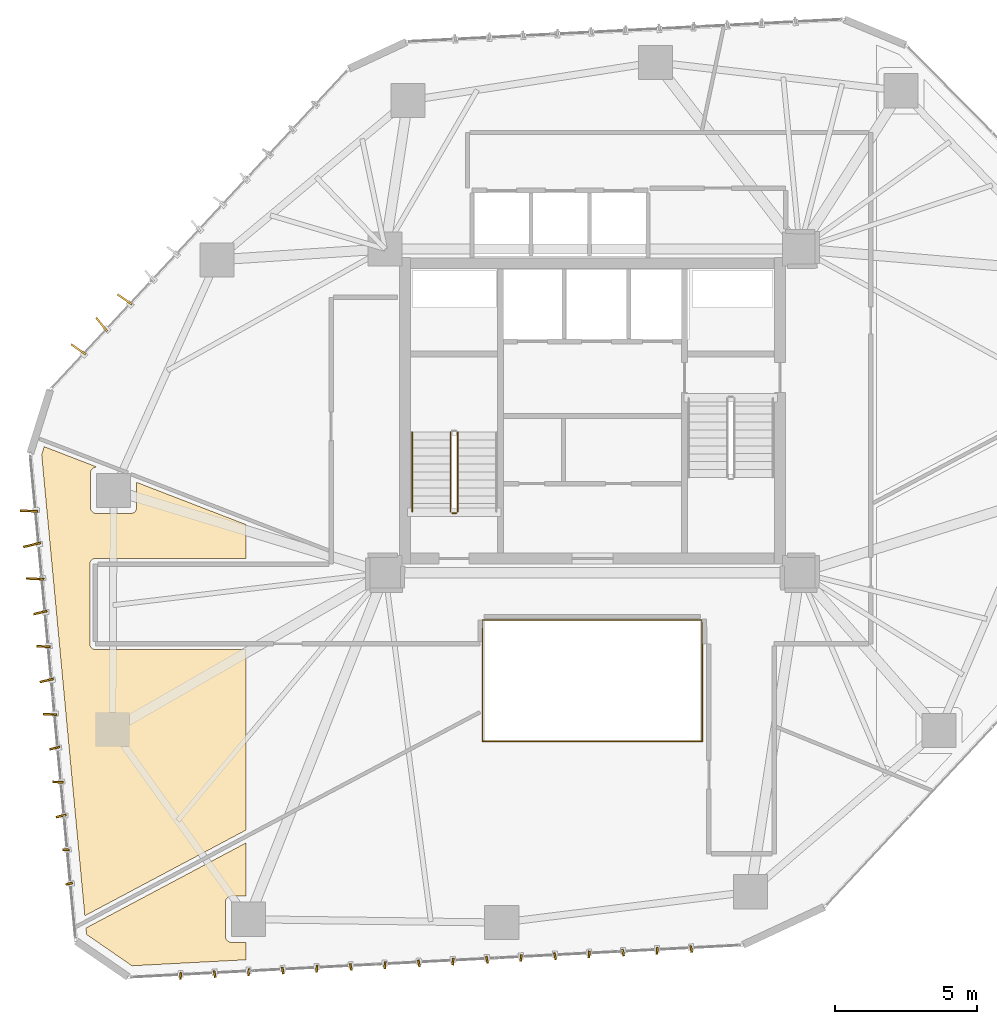
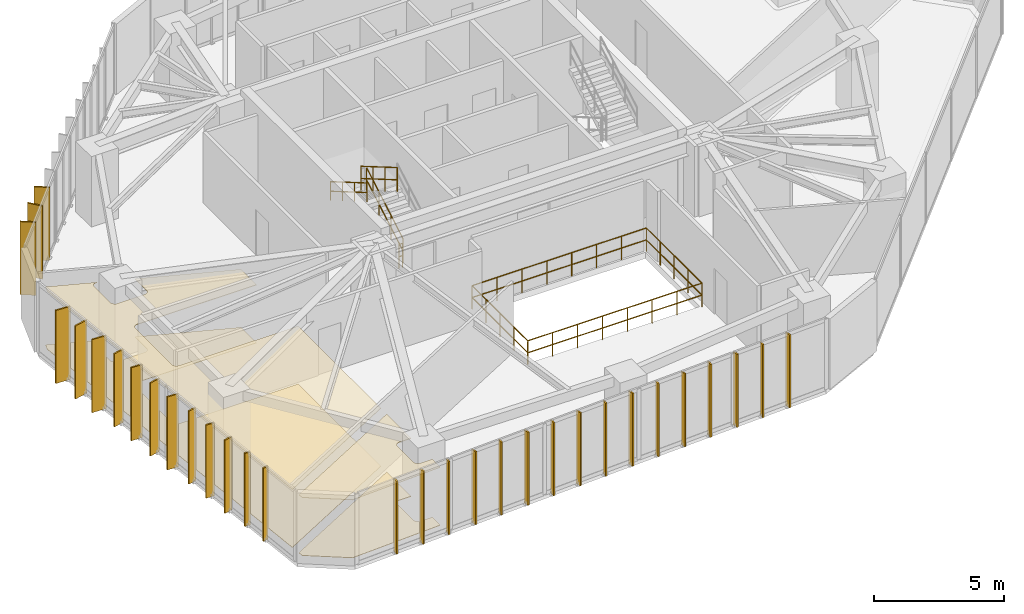
# One storey, part 21 of 23: 31 shading devices, 8 railings, 4 coverings.
"""IFC4 building model written with IfcOpenShell, lengths in metres."""

from ifc_helpers import new_model, si_unit, direction, frame, origin, origin_2d, place, context, subcontext, project, spatial, polyline, rectangle, circle, outline, extrude, source, transform, mapped, material, layer, layer_set, type_object, type_shapes, element, save


model = new_model("IFC4")

# Units and contexts
model_context = context("Model", 3, precision=1e-05, world=origin(), true_north=direction((0.0, 1.0)))
body_context = subcontext(model_context, "Body", "Model", "MODEL_VIEW")
ifc_project = project(units=[si_unit("LENGTHUNIT", "METRE"), si_unit("AREAUNIT", "SQUARE_METRE"), si_unit("VOLUMEUNIT", "CUBIC_METRE"), si_unit("PLANEANGLEUNIT", "RADIAN"), si_unit("MASSUNIT", "GRAM", prefix="KILO")], contexts=[model_context])

# Site, building, storey
site_placement = place(None, origin())
site = spatial("IfcSite", under=ifc_project, at=site_placement, CompositionType="ELEMENT")
building_placement = place(site_placement, origin())
building = spatial("IfcBuilding", under=site, at=building_placement, Name="Talar Marvaseh", CompositionType="ELEMENT")
storey_placement = place(building_placement, frame((0.0, 0.0, 100.199951171875)))
storey = spatial("IfcBuildingStorey", under=building, at=storey_placement, Name="L25", CompositionType="ELEMENT", Elevation=100.199951171875)

# Railings
ifc_material_1 = material(Name="Stainless Steel Grade 316", Category="steel")
railing_type_1 = type_object("IfcRailingType", Name="Brushed Stainless Wall Pitch Handrail 900", PredefinedType="HANDRAIL", material=ifc_material_1)
railing_1_placement = place(storey_placement, frame((19.64990234375, 30.449951171875, 1.963623046875)))
element("IfcRailing", 1, at=railing_1_placement, inside=storey, type_object=railing_type_1, Name="L25 ST-1 stair handrail 2", PredefinedType="HANDRAIL", context=body_context, shape_type="SweptSolid", body=[
    extrude(circle(Radius=0.02392578125, at=origin_2d()), frame((0.0, 0.0, 0.8759765625), z_axis=(0.0, -0.863360870873, 0.504586966384), x_axis=(1.0, 0.0, 0.0)), (0.0, 0.0, 1.0), 3.2431640625),
    extrude(circle(Radius=0.02392578125, at=origin_2d()), frame((0.0, 0.0, 0.42578125), z_axis=(0.0, -0.863360870873, 0.504586966384), x_axis=(1.0, 0.0, 0.0)), (0.0, 0.0, 1.0), 3.2431640625),
    extrude(circle(Radius=0.02099609375, at=origin_2d()), origin(), (0.0, 0.0, 1.0), 0.851806640625),
    extrude(circle(Radius=0.02099609375, at=origin_2d()), frame((0.0, -0.933349609375, 0.54541015625)), (0.0, 0.0, 1.0), 0.851806640625),
    extrude(circle(Radius=0.02099609375, at=origin_2d()), frame((0.0, -1.86669921875, 1.091064453125)), (0.0, 0.0, 1.0), 0.851806640625),
    extrude(circle(Radius=0.02099609375, at=origin_2d()), frame((0.0, -2.800048828125, 1.636474609375)), (0.0, 0.0, 1.0), 0.851806640625),
])
ifc_material_2 = material(Name="Tempered Clear Glass", Category="glass")
railing_type_2 = type_object("IfcRailingType", Name="Interior Atrium Edge Balustrade 1120", PredefinedType="BALUSTRADE", material=ifc_material_2)
railing_2_placement = place(storey_placement, frame((22.1298828125, 19.561279296875, 0.0)))
element("IfcRailing", 2, at=railing_2_placement, inside=storey, type_object=railing_type_2, Name="L25 Internal Daylight Atrium Balustrade 1", PredefinedType="BALUSTRADE", context=body_context, shape_type="SweptSolid", body=[
    extrude(circle(Radius=0.02392578125, at=origin_2d()), frame((0.0, 0.0, 1.09619140625), z_axis=(1.0, 0.0, 0.0), x_axis=(0.0, 1.0, 0.0)), (0.0, 0.0, 1.0), 7.740234375),
    extrude(circle(Radius=0.02392578125, at=origin_2d()), frame((0.0, 0.0, 0.5361328125), z_axis=(1.0, 0.0, 0.0), x_axis=(0.0, 1.0, 0.0)), (0.0, 0.0, 1.0), 7.740234375),
    extrude(circle(Radius=0.02099609375, at=origin_2d()), origin(), (0.0, 0.0, 1.0), 1.072021484375),
    extrude(circle(Radius=0.02099609375, at=origin_2d()), frame((1.105712890625, 0.0, 0.0)), (0.0, 0.0, 1.0), 1.072021484375),
    extrude(circle(Radius=0.02099609375, at=origin_2d()), frame((2.21142578125, 0.0, 0.0)), (0.0, 0.0, 1.0), 1.072021484375),
    extrude(circle(Radius=0.02099609375, at=origin_2d()), frame((3.317138671875, 0.0, 0.0)), (0.0, 0.0, 1.0), 1.072021484375),
    extrude(circle(Radius=0.02099609375, at=origin_2d()), frame((4.423095703125, 0.0, 0.0)), (0.0, 0.0, 1.0), 1.072021484375),
    extrude(circle(Radius=0.02099609375, at=origin_2d()), frame((5.52880859375, 0.0, 0.0)), (0.0, 0.0, 1.0), 1.072021484375),
    extrude(circle(Radius=0.02099609375, at=origin_2d()), frame((6.634521484375, 0.0, 0.0)), (0.0, 0.0, 1.0), 1.072021484375),
    extrude(circle(Radius=0.02099609375, at=origin_2d()), frame((7.740234375, 0.0, 0.0)), (0.0, 0.0, 1.0), 1.072021484375),
])
railing_3_placement = place(storey_placement, frame((29.8701171875, 19.561279296875, 0.0)))
element("IfcRailing", 3, at=railing_3_placement, inside=storey, type_object=railing_type_2, Name="L25 Internal Daylight Atrium Balustrade 2", PredefinedType="BALUSTRADE", context=body_context, shape_type="SweptSolid", body=[
    extrude(circle(Radius=0.02392578125, at=origin_2d()), frame((0.0, 0.0, 1.09619140625), z_axis=(0.0, 1.0, 0.0), x_axis=(-1.0, 0.0, 0.0)), (0.0, 0.0, 1.0), 4.27734375),
    extrude(circle(Radius=0.02392578125, at=origin_2d()), frame((0.0, 0.0, 0.5361328125), z_axis=(0.0, 1.0, 0.0), x_axis=(-1.0, 0.0, 0.0)), (0.0, 0.0, 1.0), 4.27734375),
    extrude(circle(Radius=0.02099609375, at=origin_2d()), origin(), (0.0, 0.0, 1.0), 1.072021484375),
    extrude(circle(Radius=0.02099609375, at=origin_2d()), frame((0.0, 1.0693359375, 0.0)), (0.0, 0.0, 1.0), 1.072021484375),
    extrude(circle(Radius=0.02099609375, at=origin_2d()), frame((0.0, 2.138671875, 0.0)), (0.0, 0.0, 1.0), 1.072021484375),
    extrude(circle(Radius=0.02099609375, at=origin_2d()), frame((0.0, 3.2080078125, 0.0)), (0.0, 0.0, 1.0), 1.072021484375),
    extrude(circle(Radius=0.02099609375, at=origin_2d()), frame((0.0, 4.27734375, 0.0)), (0.0, 0.0, 1.0), 1.072021484375),
])
railing_4_placement = place(storey_placement, frame((29.8701171875, 23.838623046875, 0.0)))
element("IfcRailing", 4, at=railing_4_placement, inside=storey, type_object=railing_type_2, Name="L25 Internal Daylight Atrium Balustrade 3", PredefinedType="BALUSTRADE", context=body_context, shape_type="SweptSolid", body=[
    extrude(circle(Radius=0.02392578125, at=origin_2d()), frame((0.0, 0.0, 1.09619140625), z_axis=(-1.0, 0.0, 0.0), x_axis=(0.0, -1.0, 0.0)), (0.0, 0.0, 1.0), 7.740234375),
    extrude(circle(Radius=0.02392578125, at=origin_2d()), frame((0.0, 0.0, 0.5361328125), z_axis=(-1.0, 0.0, 0.0), x_axis=(0.0, -1.0, 0.0)), (0.0, 0.0, 1.0), 7.740234375),
    extrude(circle(Radius=0.02099609375, at=origin_2d()), origin(), (0.0, 0.0, 1.0), 1.072021484375),
    extrude(circle(Radius=0.02099609375, at=origin_2d()), frame((-1.105712890625, 0.0, 0.0)), (0.0, 0.0, 1.0), 1.072021484375),
    extrude(circle(Radius=0.02099609375, at=origin_2d()), frame((-2.21142578125, 0.0, 0.0)), (0.0, 0.0, 1.0), 1.072021484375),
    extrude(circle(Radius=0.02099609375, at=origin_2d()), frame((-3.317138671875, 0.0, 0.0)), (0.0, 0.0, 1.0), 1.072021484375),
    extrude(circle(Radius=0.02099609375, at=origin_2d()), frame((-4.423095703125, 0.0, 0.0)), (0.0, 0.0, 1.0), 1.072021484375),
    extrude(circle(Radius=0.02099609375, at=origin_2d()), frame((-5.52880859375, 0.0, 0.0)), (0.0, 0.0, 1.0), 1.072021484375),
    extrude(circle(Radius=0.02099609375, at=origin_2d()), frame((-6.634521484375, 0.0, 0.0)), (0.0, 0.0, 1.0), 1.072021484375),
    extrude(circle(Radius=0.02099609375, at=origin_2d()), frame((-7.740234375, 0.0, 0.0)), (0.0, 0.0, 1.0), 1.072021484375),
])
railing_5_placement = place(storey_placement, frame((22.1298828125, 23.838623046875, 0.0)))
element("IfcRailing", 5, at=railing_5_placement, inside=storey, type_object=railing_type_2, Name="L25 Internal Daylight Atrium Balustrade 4", PredefinedType="BALUSTRADE", context=body_context, shape_type="SweptSolid", body=[
    extrude(circle(Radius=0.02392578125, at=origin_2d()), frame((0.0, 0.0, 1.09619140625), z_axis=(0.0, -1.0, 0.0), x_axis=(1.0, 0.0, 0.0)), (0.0, 0.0, 1.0), 4.27734375),
    extrude(circle(Radius=0.02392578125, at=origin_2d()), frame((0.0, 0.0, 0.5361328125), z_axis=(0.0, -1.0, 0.0), x_axis=(1.0, 0.0, 0.0)), (0.0, 0.0, 1.0), 4.27734375),
    extrude(circle(Radius=0.02099609375, at=origin_2d()), origin(), (0.0, 0.0, 1.0), 1.072021484375),
    extrude(circle(Radius=0.02099609375, at=origin_2d()), frame((0.0, -1.0693359375, 0.0)), (0.0, 0.0, 1.0), 1.072021484375),
    extrude(circle(Radius=0.02099609375, at=origin_2d()), frame((0.0, -2.138671875, 0.0)), (0.0, 0.0, 1.0), 1.072021484375),
    extrude(circle(Radius=0.02099609375, at=origin_2d()), frame((0.0, -3.2080078125, 0.0)), (0.0, 0.0, 1.0), 1.072021484375),
    extrude(circle(Radius=0.02099609375, at=origin_2d()), frame((0.0, -4.27734375, 0.0)), (0.0, 0.0, 1.0), 1.072021484375),
])
railing_type_3 = type_object("IfcRailingType", Name="Painted Steel Core Stair Well Guardrail 1150", PredefinedType="GUARDRAIL", material=ifc_material_1)
railing_6_placement = place(storey_placement, frame((21.260009765625, 27.64990234375, 0.16357421875)))
element("IfcRailing", 6, at=railing_6_placement, inside=storey, type_object=railing_type_3, Name="L25 ST-1 stair guard 1", PredefinedType="GUARDRAIL", context=body_context, shape_type="SweptSolid", body=[
    extrude(circle(Radius=0.02392578125, at=origin_2d()), frame((0.0, 0.0, 1.1259765625), z_axis=(0.0, 0.863360870873, 0.504586966384), x_axis=(-1.0, 0.0, 0.0)), (0.0, 0.0, 1.0), 3.2431640625),
    extrude(circle(Radius=0.02392578125, at=origin_2d()), frame((0.0, 0.0, 0.55078125), z_axis=(0.0, 0.863360870873, 0.504586966384), x_axis=(-1.0, 0.0, 0.0)), (0.0, 0.0, 1.0), 3.2431640625),
    extrude(circle(Radius=0.02099609375, at=origin_2d()), origin(), (0.0, 0.0, 1.0), 1.101806640625),
    extrude(circle(Radius=0.02099609375, at=origin_2d()), frame((0.0, 0.933349609375, 0.54541015625)), (0.0, 0.0, 1.0), 1.101806640625),
    extrude(circle(Radius=0.02099609375, at=origin_2d()), frame((0.0, 1.86669921875, 1.091064453125)), (0.0, 0.0, 1.0), 1.101806640625),
    extrude(circle(Radius=0.02099609375, at=origin_2d()), frame((0.0, 2.800048828125, 1.636474609375)), (0.0, 0.0, 1.0), 1.101806640625),
])
railing_7_placement = place(storey_placement, frame((21.0, 30.449951171875, 1.963623046875)))
element("IfcRailing", 7, at=railing_7_placement, inside=storey, type_object=railing_type_3, Name="L25 ST-1 stair guard 3", PredefinedType="GUARDRAIL", context=body_context, shape_type="SweptSolid", body=[
    extrude(circle(Radius=0.02392578125, at=origin_2d()), frame((0.0, 0.0, 1.1259765625), z_axis=(0.0, -0.863360870873, 0.504586966384), x_axis=(1.0, 0.0, 0.0)), (0.0, 0.0, 1.0), 3.2431640625),
    extrude(circle(Radius=0.02392578125, at=origin_2d()), frame((0.0, 0.0, 0.55078125), z_axis=(0.0, -0.863360870873, 0.504586966384), x_axis=(1.0, 0.0, 0.0)), (0.0, 0.0, 1.0), 3.2431640625),
    extrude(circle(Radius=0.02099609375, at=origin_2d()), origin(), (0.0, 0.0, 1.0), 1.101806640625),
    extrude(circle(Radius=0.02099609375, at=origin_2d()), frame((0.0, -0.933349609375, 0.54541015625)), (0.0, 0.0, 1.0), 1.101806640625),
    extrude(circle(Radius=0.02099609375, at=origin_2d()), frame((0.0, -1.86669921875, 1.091064453125)), (0.0, 0.0, 1.0), 1.101806640625),
    extrude(circle(Radius=0.02099609375, at=origin_2d()), frame((0.0, -2.800048828125, 1.636474609375)), (0.0, 0.0, 1.0), 1.101806640625),
])
railing_8_placement = place(storey_placement, frame((21.2099609375, 27.60009765625, 0.0)))
element("IfcRailing", 8, at=railing_8_placement, inside=storey, type_object=railing_type_3, Name="L25 ST-1 stair guard 4", PredefinedType="GUARDRAIL", context=body_context, shape_type="SweptSolid", body=[
    extrude(circle(Radius=0.02392578125, at=origin_2d()), frame((0.0, 0.0, 1.1259765625), z_axis=(-1.0, 0.0, 0.0), x_axis=(0.0, -1.0, 0.0)), (0.0, 0.0, 1.0), 0.159912109375),
    extrude(circle(Radius=0.02392578125, at=origin_2d()), frame((0.0, 0.0, 0.55078125), z_axis=(-1.0, 0.0, 0.0), x_axis=(0.0, -1.0, 0.0)), (0.0, 0.0, 1.0), 0.159912109375),
    extrude(circle(Radius=0.02099609375, at=origin_2d()), origin(), (0.0, 0.0, 1.0), 1.101806640625),
    extrude(circle(Radius=0.02099609375, at=origin_2d()), frame((-0.159912109375, 0.0, 0.0)), (0.0, 0.0, 1.0), 1.101806640625),
])

# Coverings
ifc_material_3 = material(Name="Mineral Fibre Acoustic Ceiling")
ifc_layer_1 = layer(ifc_material_3, 0.02490234375)
ifc_layer_set_1 = layer_set([ifc_layer_1], Name="Mineral Fibre Acoustic Ceiling")
covering_type_1 = type_object("IfcCoveringType", Name="Perforated Mineral Fibre Acoustic Suspended Ceiling", PredefinedType="CEILING", material=ifc_layer_set_1)
covering_1_placement = place(storey_placement, frame((0.0, 0.0, 2.719970703125)))
element("IfcCovering", 9, at=covering_1_placement, inside=storey, type_object=covering_type_1, Name="L25 Curatorial Office Acoustic Ceiling", PredefinedType="CEILING", context=body_context, shape_type="SweptSolid", body=[
    extrude(outline(polyline([(6.697021484375, 29.939208984375), (8.5673828125, 29.217041015625), (8.5380859375, 29.217041015625), (8.520263671875, 29.21630859375), (8.502685546875, 29.2138671875), (8.485595703125, 29.2099609375), (8.468505859375, 29.20458984375), (8.452392578125, 29.19775390625), (8.440673828125, 29.192138671875), (8.422607421875, 29.1826171875), (8.40576171875, 29.1708984375), (8.39013671875, 29.157958984375), (8.3759765625, 29.143310546875), (8.36328125, 29.127197265625), (8.352294921875, 29.10986328125), (8.343017578125, 29.091552734375), (8.3359375, 29.072509765625), (8.330810546875, 29.052734375), (8.327392578125, 29.032470703125), (8.326416015625, 29.01220703125), (8.322998046875, 27.802490234375), (8.32421875, 27.781494140625), (8.327392578125, 27.760498046875), (8.3330078125, 27.739990234375), (8.340576171875, 27.72021484375), (8.350341796875, 27.701171875), (8.36181640625, 27.683349609375), (8.37255859375, 27.6689453125), (8.384521484375, 27.654541015625), (8.3974609375, 27.64111328125), (8.411865234375, 27.62890625), (8.42724609375, 27.6181640625), (8.443603515625, 27.60888671875), (8.460693359375, 27.601318359375), (8.478515625, 27.59521484375), (8.496826171875, 27.591064453125), (8.515380859375, 27.58837890625), (8.5341796875, 27.587646484375), (9.749267578125, 27.59130859375), (9.768798828125, 27.59228515625), (9.7880859375, 27.59521484375), (9.806884765625, 27.60009765625), (9.825439453125, 27.606689453125), (9.843017578125, 27.614990234375), (9.85986328125, 27.625244140625), (9.87548828125, 27.63671875), (9.889892578125, 27.64990234375), (9.903076171875, 27.664306640625), (9.914794921875, 27.68017578125), (9.9248046875, 27.69677734375), (9.93310546875, 27.714599609375), (9.939697265625, 27.73291015625), (9.944580078125, 27.751708984375), (9.947509765625, 27.77099609375), (9.948486328125, 27.790771484375), (9.951904296875, 28.682373046875), (13.800048828125, 27.196533203125), (13.800048828125, 26.0), (8.5, 26.0), (8.48046875, 25.9990234375), (8.4609375, 25.99609375), (8.44189453125, 25.991455078125), (8.423583984375, 25.98486328125), (8.40576171875, 25.976318359375), (8.388916015625, 25.96630859375), (8.373046875, 25.95458984375), (8.358642578125, 25.94140625), (8.345458984375, 25.927001953125), (8.333740234375, 25.9111328125), (8.323486328125, 25.894287109375), (8.315185546875, 25.87646484375), (8.30859375, 25.858154296875), (8.3037109375, 25.839111328125), (8.301025390625, 25.819580078125), (8.300048828125, 25.800048828125), (8.300048828125, 23.0), (8.301025390625, 22.98046875), (8.3037109375, 22.9609375), (8.30859375, 22.94189453125), (8.315185546875, 22.923583984375), (8.323486328125, 22.90576171875), (8.333740234375, 22.888916015625), (8.345458984375, 22.873046875), (8.358642578125, 22.858642578125), (8.373046875, 22.845458984375), (8.388916015625, 22.833740234375), (8.40576171875, 22.823486328125), (8.423583984375, 22.815185546875), (8.44189453125, 22.80859375), (8.4609375, 22.8037109375), (8.48046875, 22.801025390625), (8.5, 22.800048828125), (13.800048828125, 22.800048828125), (13.800048828125, 16.439697265625), (8.12646484375, 13.4228515625), (6.607421875, 29.6533203125), (6.697021484375, 29.939208984375)])), origin(), (0.0, 0.0, 1.0), 0.025146484375),
])
covering_2_placement = place(storey_placement, frame((0.0, 0.0, 2.719970703125)))
element("IfcCovering", 10, at=covering_2_placement, inside=storey, type_object=covering_type_1, Name="L25 Seminar Room Acoustic Ceiling", PredefinedType="CEILING", context=body_context, shape_type="SweptSolid", body=[
    extrude(outline(polyline([(13.800048828125, 15.986572265625), (13.800048828125, 14.111572265625), (13.27978515625, 14.109619140625), (13.260009765625, 14.108642578125), (13.24072265625, 14.105712890625), (13.2216796875, 14.100830078125), (13.203369140625, 14.09423828125), (13.185791015625, 14.085693359375), (13.1689453125, 14.07568359375), (13.1533203125, 14.06396484375), (13.138671875, 14.05078125), (13.12548828125, 14.0361328125), (13.114013671875, 14.0205078125), (13.10400390625, 14.003662109375), (13.095703125, 13.986083984375), (13.089111328125, 13.967529296875), (13.084228515625, 13.948486328125), (13.081298828125, 13.92919921875), (13.080322265625, 13.90966796875), (13.080322265625, 12.6884765625), (13.081298828125, 12.668701171875), (13.084228515625, 12.6494140625), (13.089111328125, 12.63037109375), (13.095703125, 12.61181640625), (13.10400390625, 12.593994140625), (13.114013671875, 12.577392578125), (13.125732421875, 12.5615234375), (13.138916015625, 12.547119140625), (13.153564453125, 12.53369140625), (13.169189453125, 12.522216796875), (13.18603515625, 12.511962890625), (13.203857421875, 12.503662109375), (13.222412109375, 12.4970703125), (13.241455078125, 12.4921875), (13.2607421875, 12.489501953125), (13.280517578125, 12.48828125), (13.800048828125, 12.48828125), (13.800048828125, 11.871337890625), (9.787109375, 11.660400390625), (8.18798828125, 12.7626953125), (8.166748046875, 12.991455078125), (13.800048828125, 15.986572265625)])), origin(), (0.0, 0.0, 1.0), 0.025146484375),
])
ifc_material_4 = material(Name="Porcelain Stoneware Tile", Category="masonry")
ifc_layer_2 = layer(ifc_material_4, 0.02001953125)
ifc_layer_set_2 = layer_set([ifc_layer_2], Name="Porcelain Stoneware Tile")
covering_type_2 = type_object("IfcCoveringType", Name="Polished Porcelain Stoneware Gallery Flooring", PredefinedType="FLOORING", material=ifc_layer_set_2)
covering_3_placement = place(storey_placement, origin())
element("IfcCovering", 11, at=covering_3_placement, inside=storey, type_object=covering_type_2, Name="L25 Curatorial Office Flooring", PredefinedType="FLOORING", context=body_context, shape_type="SweptSolid", body=[
    extrude(outline(polyline([(6.697021484375, 29.939208984375), (8.5673828125, 29.217041015625), (8.5380859375, 29.217041015625), (8.520263671875, 29.21630859375), (8.502685546875, 29.2138671875), (8.485595703125, 29.2099609375), (8.468505859375, 29.20458984375), (8.452392578125, 29.19775390625), (8.440673828125, 29.192138671875), (8.422607421875, 29.1826171875), (8.40576171875, 29.1708984375), (8.39013671875, 29.157958984375), (8.3759765625, 29.143310546875), (8.36328125, 29.127197265625), (8.352294921875, 29.10986328125), (8.343017578125, 29.091552734375), (8.3359375, 29.072509765625), (8.330810546875, 29.052734375), (8.327392578125, 29.032470703125), (8.326416015625, 29.01220703125), (8.322998046875, 27.802490234375), (8.32421875, 27.781494140625), (8.327392578125, 27.760498046875), (8.3330078125, 27.739990234375), (8.340576171875, 27.72021484375), (8.350341796875, 27.701171875), (8.36181640625, 27.683349609375), (8.37255859375, 27.6689453125), (8.384521484375, 27.654541015625), (8.3974609375, 27.64111328125), (8.411865234375, 27.62890625), (8.42724609375, 27.6181640625), (8.443603515625, 27.60888671875), (8.460693359375, 27.601318359375), (8.478515625, 27.59521484375), (8.496826171875, 27.591064453125), (8.515380859375, 27.58837890625), (8.5341796875, 27.587646484375), (9.749267578125, 27.59130859375), (9.768798828125, 27.59228515625), (9.7880859375, 27.59521484375), (9.806884765625, 27.60009765625), (9.825439453125, 27.606689453125), (9.843017578125, 27.614990234375), (9.85986328125, 27.625244140625), (9.87548828125, 27.63671875), (9.889892578125, 27.64990234375), (9.903076171875, 27.664306640625), (9.914794921875, 27.68017578125), (9.9248046875, 27.69677734375), (9.93310546875, 27.714599609375), (9.939697265625, 27.73291015625), (9.944580078125, 27.751708984375), (9.947509765625, 27.77099609375), (9.948486328125, 27.790771484375), (9.951904296875, 28.682373046875), (13.800048828125, 27.196533203125), (13.800048828125, 26.0), (8.5, 26.0), (8.48046875, 25.9990234375), (8.4609375, 25.99609375), (8.44189453125, 25.991455078125), (8.423583984375, 25.98486328125), (8.40576171875, 25.976318359375), (8.388916015625, 25.96630859375), (8.373046875, 25.95458984375), (8.358642578125, 25.94140625), (8.345458984375, 25.927001953125), (8.333740234375, 25.9111328125), (8.323486328125, 25.894287109375), (8.315185546875, 25.87646484375), (8.30859375, 25.858154296875), (8.3037109375, 25.839111328125), (8.301025390625, 25.819580078125), (8.300048828125, 25.800048828125), (8.300048828125, 23.0), (8.301025390625, 22.98046875), (8.3037109375, 22.9609375), (8.30859375, 22.94189453125), (8.315185546875, 22.923583984375), (8.323486328125, 22.90576171875), (8.333740234375, 22.888916015625), (8.345458984375, 22.873046875), (8.358642578125, 22.858642578125), (8.373046875, 22.845458984375), (8.388916015625, 22.833740234375), (8.40576171875, 22.823486328125), (8.423583984375, 22.815185546875), (8.44189453125, 22.80859375), (8.4609375, 22.8037109375), (8.48046875, 22.801025390625), (8.5, 22.800048828125), (13.800048828125, 22.800048828125), (13.800048828125, 16.439697265625), (8.12646484375, 13.4228515625), (6.607421875, 29.6533203125), (6.697021484375, 29.939208984375)])), origin(), (0.0, 0.0, 1.0), 0.02001953125),
])
covering_4_placement = place(storey_placement, origin())
element("IfcCovering", 12, at=covering_4_placement, inside=storey, type_object=covering_type_2, Name="L25 Seminar Room Flooring", PredefinedType="FLOORING", context=body_context, shape_type="SweptSolid", body=[
    extrude(outline(polyline([(13.800048828125, 15.986572265625), (13.800048828125, 14.111572265625), (13.27978515625, 14.109619140625), (13.260009765625, 14.108642578125), (13.24072265625, 14.105712890625), (13.2216796875, 14.100830078125), (13.203369140625, 14.09423828125), (13.185791015625, 14.085693359375), (13.1689453125, 14.07568359375), (13.1533203125, 14.06396484375), (13.138671875, 14.05078125), (13.12548828125, 14.0361328125), (13.114013671875, 14.0205078125), (13.10400390625, 14.003662109375), (13.095703125, 13.986083984375), (13.089111328125, 13.967529296875), (13.084228515625, 13.948486328125), (13.081298828125, 13.92919921875), (13.080322265625, 13.90966796875), (13.080322265625, 12.6884765625), (13.081298828125, 12.668701171875), (13.084228515625, 12.6494140625), (13.089111328125, 12.63037109375), (13.095703125, 12.61181640625), (13.10400390625, 12.593994140625), (13.114013671875, 12.577392578125), (13.125732421875, 12.5615234375), (13.138916015625, 12.547119140625), (13.153564453125, 12.53369140625), (13.169189453125, 12.522216796875), (13.18603515625, 12.511962890625), (13.203857421875, 12.503662109375), (13.222412109375, 12.4970703125), (13.241455078125, 12.4921875), (13.2607421875, 12.489501953125), (13.280517578125, 12.48828125), (13.800048828125, 12.48828125), (13.800048828125, 11.871337890625), (9.787109375, 11.660400390625), (8.18798828125, 12.7626953125), (8.166748046875, 12.991455078125), (13.800048828125, 15.986572265625)])), origin(), (0.0, 0.0, 1.0), 0.02001953125),
])

# Shading devices
ifc_material_5 = material(Name="Anodised Champagne Bronze Aluminium", Category="aluminium")
ifc_layer_3 = layer(ifc_material_5, 0.06494140625)
ifc_layer_set_3 = layer_set([ifc_layer_3], Name="Anodised Champagne Bronze Aluminium")
shading_device_type_1 = type_object("IfcShadingDeviceType", Name="Sawtooth Champagne Bronze Vertical Fin 240", PredefinedType="USERDEFINED", material=ifc_layer_set_3)
shared_shape_1 = source(origin(), body_context, "Body", "SweptSolid", [
    extrude(rectangle(XDim=0.239990234375, YDim=0.06494140625, at=origin_2d()), origin(), (0.0, 0.0, 1.0), 3.429931640625),
])
type_shapes(shading_device_type_1, [shared_shape_1])
for number, where, z_axis, x_axis, name in (
    (13, (7.573974609375, 14.550048828125, -0.1201171875), (0.0, 0.0, 1.0), (-0.972977745976, -0.230898908261, 0.0), "L25 Sawtooth Vertical Solar Fin"),
    (14, (7.462158203125, 15.744873046875, -0.1201171875), (0.0, 0.0, 1.0), (-0.998930602741, 0.046234737024, 0.0), "L25 Sawtooth Vertical Solar Fin"),
    (15, (29.4765625, 12.249755859375, -0.1201171875), (0.0, 0.0, 1.0), (0.190980318733, -0.981593866045, 0.0), "L25 Sawtooth Vertical Solar Fin"),
    (16, (28.2783203125, 12.186767578125, -0.1201171875), (0.0, 0.0, 1.0), (-0.086981872646, -0.996209894465, 0.0), "L25 Sawtooth Vertical Solar Fin"),
    (17, (27.079833984375, 12.123779296875, -0.1201171875), (0.0, 0.0, 1.0), (0.190980318733, -0.981593866045, 0.0), "L25 Sawtooth Vertical Solar Fin"),
    (18, (25.881591796875, 12.060791015625, -0.1201171875), (0.0, 0.0, 1.0), (-0.086981872646, -0.996209894465, 0.0), "L25 Sawtooth Vertical Solar Fin"),
    (19, (24.68310546875, 11.997802734375, -0.1201171875), (0.0, 0.0, 1.0), (0.190980318733, -0.981593866045, 0.0), "L25 Sawtooth Vertical Solar Fin"),
    (20, (23.48486328125, 11.934814453125, -0.1201171875), (0.0, 0.0, 1.0), (-0.086981872646, -0.996209894465, 0.0), "L25 Sawtooth Vertical Solar Fin"),
    (21, (22.28662109375, 11.871826171875, -0.1201171875), (0.0, 0.0, 1.0), (0.190980318733, -0.981593866045, 0.0), "L25 Sawtooth Vertical Solar Fin"),
    (22, (21.088134765625, 11.808837890625, -0.1201171875), (0.0, 0.0, 1.0), (-0.086981872646, -0.996209894465, 0.0), "L25 Sawtooth Vertical Solar Fin"),
    (23, (19.889892578125, 11.745849609375, -0.1201171875), (0.0, 0.0, 1.0), (0.190980318733, -0.981593866045, 0.0), "L25 Sawtooth Vertical Solar Fin"),
    (24, (18.69140625, 11.682861328125, -0.1201171875), (0.0, 0.0, 1.0), (-0.086981872646, -0.996209894465, 0.0), "L25 Sawtooth Vertical Solar Fin"),
    (25, (17.4931640625, 11.619873046875, -0.1201171875), (0.0, 0.0, 1.0), (0.190980318733, -0.981593866045, 0.0), "L25 Sawtooth Vertical Solar Fin"),
    (26, (16.294921875, 11.556884765625, -0.1201171875), (0.0, 0.0, 1.0), (-0.086981872646, -0.996209894465, 0.0), "L25 Sawtooth Vertical Solar Fin"),
    (27, (15.096435546875, 11.493896484375, -0.1201171875), (0.0, 0.0, 1.0), (0.190980318733, -0.981593866045, 0.0), "L25 Sawtooth Vertical Solar Fin"),
    (28, (13.898193359375, 11.430908203125, -0.1201171875), (0.0, 0.0, 1.0), (-0.086981872646, -0.996209894465, 0.0), "L25 Sawtooth Vertical Solar Fin"),
    (29, (12.69970703125, 11.367919921875, -0.1201171875), (0.0, 0.0, 1.0), (0.190980318733, -0.981593866045, 0.0), "L25 Sawtooth Vertical Solar Fin"),
    (30, (11.50146484375, 11.304931640625, -0.1201171875), (0.0, 0.0, 1.0), (-0.086981872646, -0.996209894465, 0.0), "L25 Sawtooth Vertical Solar Fin"),
):
    element("IfcShadingDevice", number, at=place(storey_placement, frame(where, z_axis=z_axis, x_axis=x_axis)), inside=storey, type_object=shading_device_type_1, Name=name, ObjectType="FIN", PredefinedType="USERDEFINED", context=body_context, shape_type="MappedRepresentation", body=[
        mapped(shared_shape_1, transform((0.0, 0.0, 0.0), x_axis=(1.0, 0.0, 0.0), y_axis=(0.0, 1.0, 0.0), z_axis=(0.0, 0.0, 1.0), scale=1.0)),
    ])
ifc_layer_4 = layer(ifc_material_5, 0.06494140625)
ifc_layer_set_4 = layer_set([ifc_layer_4], Name="Anodised Champagne Bronze Aluminium")
shading_device_type_2 = type_object("IfcShadingDeviceType", Name="Sawtooth Champagne Bronze Vertical Fin 360", PredefinedType="USERDEFINED", material=ifc_layer_set_4)
shared_shape_2 = source(origin(), body_context, "Body", "SweptSolid", [
    extrude(rectangle(XDim=0.360107421875, YDim=0.06494140625, at=origin_2d()), origin(), (0.0, 0.0, 1.0), 3.429931640625),
])
type_shapes(shading_device_type_2, [shared_shape_2])
for number, where, z_axis, x_axis, name in (
    (31, (7.29052734375, 16.93408203125, -0.1201171875), (0.0, 0.0, 1.0), (-0.972977745976, -0.230898908261, 0.0), "L25 Sawtooth Vertical Solar Fin"),
    (32, (7.1787109375, 18.12890625, -0.1201171875), (0.0, 0.0, 1.0), (-0.998930602741, 0.046234737024, 0.0), "L25 Sawtooth Vertical Solar Fin"),
    (33, (7.06689453125, 19.32373046875, -0.1201171875), (0.0, 0.0, 1.0), (-0.972977745976, -0.230898908261, 0.0), "L25 Sawtooth Vertical Solar Fin"),
):
    element("IfcShadingDevice", number, at=place(storey_placement, frame(where, z_axis=z_axis, x_axis=x_axis)), inside=storey, type_object=shading_device_type_2, Name=name, ObjectType="FIN", PredefinedType="USERDEFINED", context=body_context, shape_type="MappedRepresentation", body=[
        mapped(shared_shape_2, transform((0.0, 0.0, 0.0), x_axis=(1.0, 0.0, 0.0), y_axis=(0.0, 1.0, 0.0), z_axis=(0.0, 0.0, 1.0), scale=1.0)),
    ])
ifc_layer_5 = layer(ifc_material_5, 0.06494140625)
ifc_layer_set_5 = layer_set([ifc_layer_5], Name="Anodised Champagne Bronze Aluminium")
shading_device_type_3 = type_object("IfcShadingDeviceType", Name="Sawtooth Champagne Bronze Vertical Fin 480", PredefinedType="USERDEFINED", material=ifc_layer_set_5)
shared_shape_3 = source(origin(), body_context, "Body", "SweptSolid", [
    extrude(rectangle(XDim=0.47998046875, YDim=0.06494140625, at=origin_2d()), origin(), (0.0, 0.0, 1.0), 3.429931640625),
])
type_shapes(shading_device_type_3, [shared_shape_3])
for number, where, z_axis, x_axis, name in (
    (34, (6.8955078125, 20.5126953125, -0.1201171875), (0.0, 0.0, 1.0), (-0.998930602741, 0.046234737024, 0.0), "L25 Sawtooth Vertical Solar Fin"),
    (35, (6.78369140625, 21.70751953125, -0.1201171875), (0.0, 0.0, 1.0), (-0.972977745976, -0.230898908261, 0.0), "L25 Sawtooth Vertical Solar Fin"),
    (36, (6.671875, 22.90234375, -0.1201171875), (0.0, 0.0, 1.0), (-0.998930602741, 0.046234737024, 0.0), "L25 Sawtooth Vertical Solar Fin"),
    (37, (6.56005859375, 24.09716796875, -0.1201171875), (0.0, 0.0, 1.0), (-0.972977745976, -0.230898908261, 0.0), "L25 Sawtooth Vertical Solar Fin"),
):
    element("IfcShadingDevice", number, at=place(storey_placement, frame(where, z_axis=z_axis, x_axis=x_axis)), inside=storey, type_object=shading_device_type_3, Name=name, ObjectType="FIN", PredefinedType="USERDEFINED", context=body_context, shape_type="MappedRepresentation", body=[
        mapped(shared_shape_3, transform((0.0, 0.0, 0.0), x_axis=(1.0, 0.0, 0.0), y_axis=(0.0, 1.0, 0.0), z_axis=(0.0, 0.0, 1.0), scale=1.0)),
    ])
ifc_layer_6 = layer(ifc_material_5, 0.06494140625)
ifc_layer_set_6 = layer_set([ifc_layer_6], Name="Anodised Champagne Bronze Aluminium")
shading_device_type_4 = type_object("IfcShadingDeviceType", Name="Sawtooth Champagne Bronze Vertical Fin 620", PredefinedType="USERDEFINED", material=ifc_layer_set_6)
shared_shape_4 = source(origin(), body_context, "Body", "SweptSolid", [
    extrude(rectangle(XDim=0.6201171875, YDim=0.06494140625, at=origin_2d()), origin(), (0.0, 0.0, 1.0), 3.429931640625),
])
type_shapes(shading_device_type_4, [shared_shape_4])
for number, where, z_axis, x_axis, name in (
    (38, (6.37841796875, 25.285400390625, -0.1201171875), (0.0, 0.0, 1.0), (-0.998930602741, 0.046234737024, 0.0), "L25 Sawtooth Vertical Solar Fin"),
    (39, (6.2666015625, 26.480224609375, -0.1201171875), (0.0, 0.0, 1.0), (-0.972977745976, -0.230898908261, 0.0), "L25 Sawtooth Vertical Solar Fin"),
    (40, (6.15478515625, 27.675048828125, -0.1201171875), (0.0, 0.0, 1.0), (-0.998930602741, 0.046234737024, 0.0), "L25 Sawtooth Vertical Solar Fin"),
    (41, (7.900146484375, 33.365478515625, -0.1201171875), (0.0, 0.0, 1.0), (-0.819852188584, 0.572575225515, 0.0), "L25 Sawtooth Vertical Solar Fin"),
    (42, (8.717529296875, 34.244140625, -0.1201171875), (0.0, 0.0, 1.0), (-0.63026938405, 0.776376521753, 0.0), "L25 Sawtooth Vertical Solar Fin"),
    (43, (9.534912109375, 35.122802734375, -0.1201171875), (0.0, 0.0, 1.0), (-0.819852188584, 0.572575225515, 0.0), "L25 Sawtooth Vertical Solar Fin"),
):
    element("IfcShadingDevice", number, at=place(storey_placement, frame(where, z_axis=z_axis, x_axis=x_axis)), inside=storey, type_object=shading_device_type_4, Name=name, ObjectType="FIN", PredefinedType="USERDEFINED", context=body_context, shape_type="MappedRepresentation", body=[
        mapped(shared_shape_4, transform((0.0, 0.0, 0.0), x_axis=(1.0, 0.0, 0.0), y_axis=(0.0, 1.0, 0.0), z_axis=(0.0, 0.0, 1.0), scale=1.0)),
    ])

save(model, "model.ifc")
